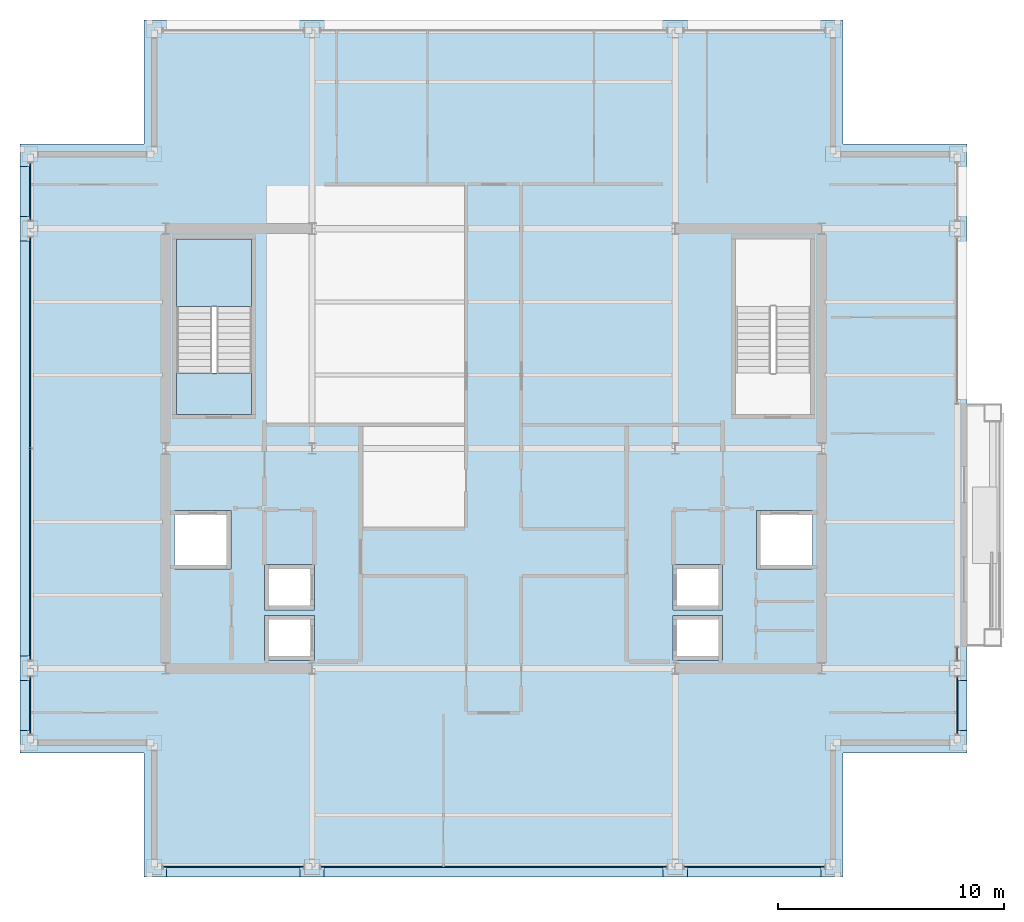
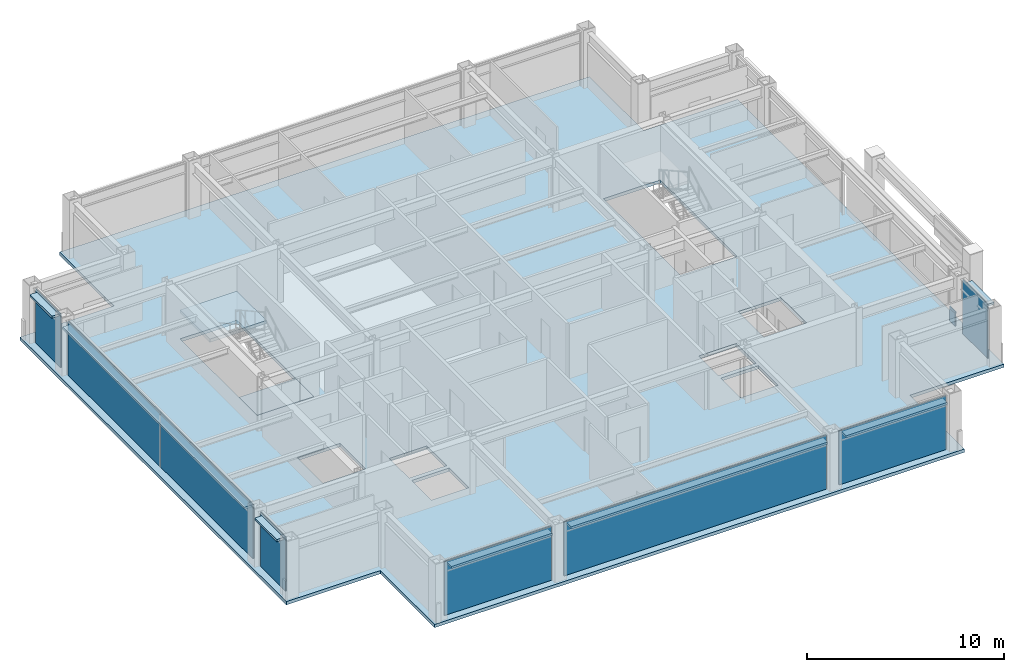
# One storey, part 22 of 29: 16 plates, 3 slabs, 1 member, 9 elements without a shape of their own.
"""IFC4 building model written with IfcOpenShell, lengths in metres."""

from ifc_helpers import new_model, si_unit, direction, frame, origin, origin_2d, place, context, subcontext, project, spatial, polyline, rectangle, hollow_rectangle, outline, extrude, material, layer, layer_set, material_profile, profile_set, type_object, element, aggregate, save


model = new_model("IFC4")

# Units and contexts
model_context = context("Model", 3, precision=1e-05, world=origin(), true_north=direction((0.0, 1.0)))
body_context = subcontext(model_context, "Body", "Model", "MODEL_VIEW")
ifc_project = project(units=[si_unit("LENGTHUNIT", "METRE"), si_unit("AREAUNIT", "SQUARE_METRE"), si_unit("VOLUMEUNIT", "CUBIC_METRE"), si_unit("PLANEANGLEUNIT", "RADIAN"), si_unit("MASSUNIT", "GRAM", prefix="KILO")], contexts=[model_context])

# Site, building, storey
site_placement = place(None, origin())
site = spatial("IfcSite", under=ifc_project, at=site_placement, CompositionType="ELEMENT")
building_placement = place(site_placement, origin())
building = spatial("IfcBuilding", under=site, at=building_placement, Name="Brelmoor Portico Tower", CompositionType="ELEMENT")
storey_placement = place(building_placement, frame((0.0, 0.0, 201.89990234375)))
storey = spatial("IfcBuildingStorey", under=building, at=storey_placement, Name="L53", CompositionType="ELEMENT", Elevation=201.89990234375)

# Curtain wall, member
ifc_material_1 = material(Name="Anodised Aluminium Alloy 6063-T6", Category="aluminium")
ifc_layer_1 = layer(ifc_material_1, 0.179931640625)
ifc_layer_set_1 = layer_set([ifc_layer_1], Name="Anodised Aluminium Alloy 6063-T6")
curtain_wall_type_1 = type_object("IfcCurtainWallType", Name="CW-TOWER-Z3", PredefinedType="NOTDEFINED", material=ifc_layer_set_1)
curtain_wall_1_placement = place(storey_placement, origin())
curtain_wall_1 = element("IfcCurtainWall", 1, at=curtain_wall_1_placement, inside=storey, type_object=curtain_wall_type_1, Name="L53 Curtain Wall CW-L53-4L-2", PredefinedType="NOTDEFINED")
ifc_material_profile = material_profile(ifc_material_1, hollow_rectangle(XDim=0.06005859375, YDim=0.125, WallThickness=0.00341796875, at=origin_2d()), Name="ALU TRANSOM 60x125")
ifc_profile_set = profile_set([ifc_material_profile], Name="Anodised Aluminium Alloy 6063-T6")
member_type = type_object("IfcMemberType", Name="MB-CW-TRAN-125", PredefinedType="USERDEFINED", material=ifc_profile_set)
member_placement = place(storey_placement, frame((20.550048828125, -9.389892578125, 0.85009765625), z_axis=(0.0, 1.0, 0.0), x_axis=(-1.0, 0.0, 0.0)))
member = element("IfcMember", 2, at=member_placement, type_object=member_type, Name="CW-L53-4L-2 Transom 1-00", ObjectType="TRANSOM", PredefinedType="USERDEFINED", context=body_context, shape_type="SweptSolid", body=[
    extrude(hollow_rectangle(XDim=0.06005859375, YDim=0.125, WallThickness=0.00341796875, at=origin_2d()), origin(), (0.0, 0.0, 1.0), 0.58984375),
])

# Curtain wall, plate
ifc_layer_2 = layer(ifc_material_1, 0.179931640625)
ifc_layer_set_2 = layer_set([ifc_layer_2], Name="Anodised Aluminium Alloy 6063-T6")
curtain_wall_type_2 = type_object("IfcCurtainWallType", Name="CW-TOWER-Z3-XB", PredefinedType="NOTDEFINED", material=ifc_layer_set_2)
curtain_wall_2_placement = place(storey_placement, origin())
curtain_wall_2 = element("IfcCurtainWall", 3, at=curtain_wall_2_placement, inside=storey, type_object=curtain_wall_type_2, Name="L53 Curtain Wall CW-L53-01-1", PredefinedType="NOTDEFINED")
ifc_material_2 = material(Name="Pale Champagne Anodised Aluminium Panel", Category="aluminium")
ifc_layer_3 = layer(ifc_material_2, 0.050048828125)
ifc_layer_set_3 = layer_set([ifc_layer_3], Name="Pale Champagne Anodised Aluminium Panel")
plate_type_1 = type_object("IfcPlateType", Name="PT-CW-SPANDREL", PredefinedType="SHEET", material=ifc_layer_set_3)
plate_1_placement = place(storey_placement, frame((-11.550048828125, -18.550048828125, 0.0), z_axis=(0.0, 0.0, 1.0), x_axis=(1.0, 0.0, 0.0)))
plate_1 = element("IfcPlate", 4, at=plate_1_placement, type_object=plate_type_1, Name="CW-L53-01-1 Spandrel Panel 00", PredefinedType="SHEET", context=body_context, shape_type="SweptSolid", body=[
    extrude(rectangle(XDim=6.25, YDim=0.050048828125, at=origin_2d()), origin(), (0.0, 0.0, 1.0), 3.33740234375),
])
aggregate(curtain_wall_2, [plate_1])

curtain_wall_3_placement = place(storey_placement, origin())
curtain_wall_3 = element("IfcCurtainWall", 5, at=curtain_wall_3_placement, inside=storey, type_object=curtain_wall_type_2, Name="L53 Curtain Wall CW-L53-01-2", PredefinedType="NOTDEFINED")
plate_2_placement = place(storey_placement, frame((0.0, -18.550048828125, 0.0), z_axis=(0.0, 0.0, 1.0), x_axis=(1.0, 0.0, 0.0)))
plate_2 = element("IfcPlate", 6, at=plate_2_placement, type_object=plate_type_1, Name="CW-L53-01-2 Spandrel Panel 00", PredefinedType="SHEET", context=body_context, shape_type="SweptSolid", body=[
    extrude(rectangle(XDim=15.35009765625, YDim=0.050048828125, at=origin_2d()), origin(), (0.0, 0.0, 1.0), 3.33740234375),
])
aggregate(curtain_wall_3, [plate_2])

curtain_wall_4_placement = place(storey_placement, origin())
curtain_wall_4 = element("IfcCurtainWall", 7, at=curtain_wall_4_placement, inside=storey, type_object=curtain_wall_type_2, Name="L53 Curtain Wall CW-L53-01-3", PredefinedType="NOTDEFINED")
plate_3_placement = place(storey_placement, frame((11.550048828125, -18.550048828125, 0.0), z_axis=(0.0, 0.0, 1.0), x_axis=(1.0, 0.0, 0.0)))
plate_3 = element("IfcPlate", 8, at=plate_3_placement, type_object=plate_type_1, Name="CW-L53-01-3 Spandrel Panel 00", PredefinedType="SHEET", context=body_context, shape_type="SweptSolid", body=[
    extrude(rectangle(XDim=6.25, YDim=0.050048828125, at=origin_2d()), origin(), (0.0, 0.0, 1.0), 3.33740234375),
])
aggregate(curtain_wall_4, [plate_3])

curtain_wall_5_placement = place(storey_placement, origin())
curtain_wall_5 = element("IfcCurtainWall", 9, at=curtain_wall_5_placement, inside=storey, type_object=curtain_wall_type_2, Name="L53 Curtain Wall CW-L53-03-1", PredefinedType="NOTDEFINED")
plate_4_placement = place(storey_placement, frame((-20.550048828125, -11.39990234375, 0.0), z_axis=(0.0, 0.0, 1.0), x_axis=(0.0, 1.0, 0.0)))
plate_4 = element("IfcPlate", 10, at=plate_4_placement, type_object=plate_type_1, Name="CW-L53-03-1 Spandrel Panel 00", PredefinedType="SHEET", context=body_context, shape_type="SweptSolid", body=[
    extrude(rectangle(XDim=2.550048828125, YDim=0.050048828125, at=origin_2d()), origin(), (0.0, 0.0, 1.0), 3.33740234375),
])
aggregate(curtain_wall_5, [plate_4])

# Curtain wall, plates
curtain_wall_6_placement = place(storey_placement, origin())
curtain_wall_6 = element("IfcCurtainWall", 11, at=curtain_wall_6_placement, inside=storey, type_object=curtain_wall_type_2, Name="L53 Curtain Wall CW-L53-03-2", PredefinedType="NOTDEFINED")
plate_5_placement = place(storey_placement, frame((-20.550048828125, -4.695068359375, 0.0), z_axis=(0.0, 0.0, 1.0), x_axis=(0.0, 1.0, 0.0)))
plate_5 = element("IfcPlate", 12, at=plate_5_placement, type_object=plate_type_1, Name="CW-L53-03-2 Spandrel Panel 00", PredefinedType="SHEET", context=body_context, shape_type="SweptSolid", body=[
    extrude(rectangle(XDim=9.360107421875, YDim=0.050048828125, at=origin_2d()), origin(), (0.0, 0.0, 1.0), 3.33740234375),
])
plate_6_placement = place(storey_placement, frame((-20.550048828125, 4.695068359375, 0.0), z_axis=(0.0, 0.0, 1.0), x_axis=(0.0, 1.0, 0.0)))
plate_6 = element("IfcPlate", 13, at=plate_6_placement, type_object=plate_type_1, Name="CW-L53-03-2 Spandrel Panel 01", PredefinedType="SHEET", context=body_context, shape_type="SweptSolid", body=[
    extrude(rectangle(XDim=9.360107421875, YDim=0.050048828125, at=origin_2d()), origin(), (0.0, 0.0, 1.0), 3.33740234375),
])
aggregate(curtain_wall_6, [plate_5, plate_6])

# Curtain wall, plate
curtain_wall_7_placement = place(storey_placement, origin())
curtain_wall_7 = element("IfcCurtainWall", 14, at=curtain_wall_7_placement, inside=storey, type_object=curtain_wall_type_2, Name="L53 Curtain Wall CW-L53-03-3", PredefinedType="NOTDEFINED")
plate_7_placement = place(storey_placement, frame((-20.550048828125, 11.39990234375, 0.0), z_axis=(0.0, 0.0, 1.0), x_axis=(0.0, 1.0, 0.0)))
plate_7 = element("IfcPlate", 15, at=plate_7_placement, type_object=plate_type_1, Name="CW-L53-03-3 Spandrel Panel 00", PredefinedType="SHEET", context=body_context, shape_type="SweptSolid", body=[
    extrude(rectangle(XDim=2.550048828125, YDim=0.050048828125, at=origin_2d()), origin(), (0.0, 0.0, 1.0), 3.33740234375),
])
aggregate(curtain_wall_7, [plate_7])

curtain_wall_8_placement = place(storey_placement, origin())
curtain_wall_8 = element("IfcCurtainWall", 16, at=curtain_wall_8_placement, inside=storey, type_object=curtain_wall_type_2, Name="L53 Curtain Wall CW-L53-4L-1", PredefinedType="NOTDEFINED")
plate_8_placement = place(storey_placement, frame((20.550048828125, -11.39990234375, 0.0), z_axis=(0.0, 0.0, 1.0), x_axis=(0.0, 1.0, 0.0)))
plate_8 = element("IfcPlate", 17, at=plate_8_placement, type_object=plate_type_1, Name="CW-L53-4L-1 Spandrel Panel 00", PredefinedType="SHEET", context=body_context, shape_type="SweptSolid", body=[
    extrude(rectangle(XDim=2.550048828125, YDim=0.050048828125, at=origin_2d()), origin(), (0.0, 0.0, 1.0), 3.33740234375),
])
aggregate(curtain_wall_8, [plate_8])

# Plate
plate_9_placement = place(storey_placement, frame((20.550048828125, -9.094970703125, 0.0), z_axis=(0.0, 0.0, 1.0), x_axis=(0.0, 1.0, 0.0)))
plate_9 = element("IfcPlate", 18, at=plate_9_placement, type_object=plate_type_1, Name="CW-L53-4L-2 Spandrel Panel 00", PredefinedType="SHEET", context=body_context, shape_type="SweptSolid", body=[
    extrude(rectangle(XDim=0.56005859375, YDim=0.050048828125, at=origin_2d()), origin(), (0.0, 0.0, 1.0), 0.85009765625),
])

aggregate(curtain_wall_1, [member, plate_9])

# Plates
ifc_material_3 = material(Name="Pale Champagne Perforated Aluminium Solar Screen", Category="aluminium")
ifc_layer_4 = layer(ifc_material_3, 0.054931640625)
ifc_layer_set_4 = layer_set([ifc_layer_4], Name="Pale Champagne Perforated Aluminium Solar Screen")
plate_type_2 = type_object("IfcPlateType", Name="PT-SOLAR-LOUVRE", PredefinedType="SHEET", material=ifc_layer_set_4)
plate_10_placement = place(storey_placement, frame((-11.550048828125, -18.760009765625, 3.09033203125), z_axis=(0.0, 0.0, 1.0), x_axis=(1.0, 0.0, 0.0)))
element("IfcPlate", 19, at=plate_10_placement, inside=storey, type_object=plate_type_2, Name="CW-L53-01-1 Caribbean Brise-Soleil Solar Screen", PredefinedType="SHEET", context=body_context, shape_type="SweptSolid", body=[
    extrude(rectangle(XDim=5.919921875, YDim=0.4599609375, at=origin_2d()), origin(), (0.0, 0.0, 1.0), 0.139892578125),
])
plate_11_placement = place(storey_placement, frame((0.0, -18.760009765625, 3.09033203125), z_axis=(0.0, 0.0, 1.0), x_axis=(1.0, 0.0, 0.0)))
element("IfcPlate", 20, at=plate_11_placement, inside=storey, type_object=plate_type_2, Name="CW-L53-01-2 Caribbean Brise-Soleil Solar Screen", PredefinedType="SHEET", context=body_context, shape_type="SweptSolid", body=[
    extrude(rectangle(XDim=15.02001953125, YDim=0.4599609375, at=origin_2d()), origin(), (0.0, 0.0, 1.0), 0.139892578125),
])
plate_12_placement = place(storey_placement, frame((11.550048828125, -18.760009765625, 3.09033203125), z_axis=(0.0, 0.0, 1.0), x_axis=(1.0, 0.0, 0.0)))
element("IfcPlate", 21, at=plate_12_placement, inside=storey, type_object=plate_type_2, Name="CW-L53-01-3 Caribbean Brise-Soleil Solar Screen", PredefinedType="SHEET", context=body_context, shape_type="SweptSolid", body=[
    extrude(rectangle(XDim=5.919921875, YDim=0.4599609375, at=origin_2d()), origin(), (0.0, 0.0, 1.0), 0.139892578125),
])
plate_13_placement = place(storey_placement, frame((-20.760009765625, -11.39990234375, 3.09033203125), z_axis=(0.0, 0.0, 1.0), x_axis=(0.0, 1.0, 0.0)))
element("IfcPlate", 22, at=plate_13_placement, inside=storey, type_object=plate_type_2, Name="CW-L53-03-1 Caribbean Brise-Soleil Solar Screen", PredefinedType="SHEET", context=body_context, shape_type="SweptSolid", body=[
    extrude(rectangle(XDim=2.219970703125, YDim=0.4599609375, at=origin_2d()), origin(), (0.0, 0.0, 1.0), 0.139892578125),
])
plate_14_placement = place(storey_placement, frame((-20.760009765625, 0.0, 3.09033203125), z_axis=(0.0, 0.0, 1.0), x_axis=(0.0, 1.0, 0.0)))
element("IfcPlate", 23, at=plate_14_placement, inside=storey, type_object=plate_type_2, Name="CW-L53-03-2 Caribbean Brise-Soleil Solar Screen", PredefinedType="SHEET", context=body_context, shape_type="SweptSolid", body=[
    extrude(rectangle(XDim=18.419921875, YDim=0.4599609375, at=origin_2d()), origin(), (0.0, 0.0, 1.0), 0.139892578125),
])
for number, where, z_axis, x_axis, name in (
    (24, (-20.760009765625, 11.39990234375, 3.09033203125), (0.0, 0.0, 1.0), (0.0, 1.0, 0.0), "CW-L53-03-3 Caribbean Brise-Soleil Solar Screen"),
    (25, (20.760009765625, -11.39990234375, 3.09033203125), (0.0, 0.0, 1.0), (0.0, 1.0, 0.0), "CW-L53-4L-1 Caribbean Brise-Soleil Solar Screen"),
):
    element("IfcPlate", number, at=place(storey_placement, frame(where, z_axis=z_axis, x_axis=x_axis)), inside=storey, type_object=plate_type_2, Name=name, PredefinedType="SHEET", context=body_context, shape_type="SweptSolid", body=[
        extrude(rectangle(XDim=2.219970703125, YDim=0.4599609375, at=origin_2d()), origin(), (0.0, 0.0, 1.0), 0.139892578125),
    ])

# Slab
ifc_material_4 = material(Name="Concrete C40", Category="concrete")
ifc_layer_5 = layer(ifc_material_4, 0.199951171875)
ifc_layer_set_5 = layer_set([ifc_layer_5], Name="Concrete C40")
slab_type_1 = type_object("IfcSlabType", Name="SL-FLOOR-200", PredefinedType="FLOOR", material=ifc_layer_set_5)
slab_1_placement = place(storey_placement, frame((0.0, 0.0, -0.199951171875)))
element("IfcSlab", 26, at=slab_1_placement, inside=storey, type_object=slab_type_1, Name="L53 Main Structural Floor Slab", PredefinedType="FLOOR", context=body_context, shape_type="SweptSolid", body=[
    extrude(outline(polyline([(-15.5, -19.0), (15.5, -19.0), (15.5, -13.5), (21.0, -13.5), (21.0, 13.5), (15.5, 13.5), (15.5, 19.0), (-15.5, 19.0), (-15.5, 13.5), (-21.0, 13.5), (-21.0, -13.5), (-15.5, -13.5), (-15.5, -19.0)]), holes=[polyline([(-10.72998046875, 1.5), (-10.72998046875, 9.300048828125), (-14.050048828125, 9.300048828125), (-14.050048828125, 1.5), (-10.72998046875, 1.5)]), polyline([(14.050048828125, 1.5), (14.050048828125, 9.300048828125), (10.72998046875, 9.300048828125), (10.72998046875, 1.5), (14.050048828125, 1.5)]), polyline([(-10.14990234375, -9.39990234375), (-7.949951171875, -9.39990234375), (-7.949951171875, -7.39990234375), (-10.14990234375, -7.39990234375), (-10.14990234375, -9.39990234375)]), polyline([(-10.14990234375, -7.14990234375), (-7.949951171875, -7.14990234375), (-7.949951171875, -5.14990234375), (-10.14990234375, -5.14990234375), (-10.14990234375, -7.14990234375)]), polyline([(7.949951171875, -9.39990234375), (10.14990234375, -9.39990234375), (10.14990234375, -7.39990234375), (7.949951171875, -7.39990234375), (7.949951171875, -9.39990234375)]), polyline([(7.949951171875, -7.14990234375), (10.14990234375, -7.14990234375), (10.14990234375, -5.14990234375), (7.949951171875, -5.14990234375), (7.949951171875, -7.14990234375)]), polyline([(-14.14990234375, -5.35009765625), (-11.64990234375, -5.35009765625), (-11.64990234375, -2.75), (-14.14990234375, -2.75), (-14.14990234375, -5.35009765625)]), polyline([(11.64990234375, -5.35009765625), (14.14990234375, -5.35009765625), (14.14990234375, -2.75), (11.64990234375, -2.75), (11.64990234375, -5.35009765625)])]), origin(), (0.0, 0.0, 1.0), 0.199951171875),
])

# Stair, slab
stair_type = type_object("IfcStairType", Name="ST-CORE-W", PredefinedType="HALF_TURN_STAIR", material=ifc_material_4)
stair_placement = place(storey_placement, origin())
stair = element("IfcStair", 27, at=stair_placement, inside=storey, type_object=stair_type, Name="L53 Protected Core Exit Stair ST-W", PredefinedType="HALF_TURN_STAIR")
ifc_layer_6 = layer(ifc_material_4, 0.179931640625)
ifc_layer_set_6 = layer_set([ifc_layer_6], Name="Concrete C40")
slab_type_2 = type_object("IfcSlabType", Name="SL-LANDING-180", PredefinedType="LANDING", material=ifc_layer_set_6)
slab_2_placement = place(storey_placement, frame((0.0, 0.0, 1.60009765625)))
slab_2 = element("IfcSlab", 28, at=slab_2_placement, type_object=slab_type_2, Name="ST-W landing 1", PredefinedType="LANDING", context=body_context, shape_type="SweptSolid", body=[
    extrude(outline(polyline([(-10.72998046875, 6.300048828125), (-10.72998046875, 9.300048828125), (-14.050048828125, 9.300048828125), (-14.050048828125, 6.300048828125), (-10.72998046875, 6.300048828125)])), origin(), (0.0, 0.0, 1.0), 0.199951171875),
])
aggregate(stair, [slab_2])

# Slab
ifc_layer_7 = layer(ifc_material_4, 0.199951171875)
ifc_layer_set_7 = layer_set([ifc_layer_7], Name="Concrete C40")
slab_type_3 = type_object("IfcSlabType", Name="SL-STAIR-FL200", PredefinedType="LANDING", material=ifc_layer_set_7)
slab_3_placement = place(storey_placement, frame((0.0, 0.0, -0.199951171875)))
element("IfcSlab", 29, at=slab_3_placement, inside=storey, type_object=slab_type_3, Name="L53 ST-W Structural Floor Landing Slab", PredefinedType="LANDING", context=body_context, shape_type="SweptSolid", body=[
    extrude(outline(polyline([(-10.72998046875, 1.5), (-10.72998046875, 3.35009765625), (-14.050048828125, 3.35009765625), (-14.050048828125, 1.5), (-10.72998046875, 1.5)])), origin(), (0.0, 0.0, 1.0), 0.199951171875),
])

save(model, "model.ifc")
